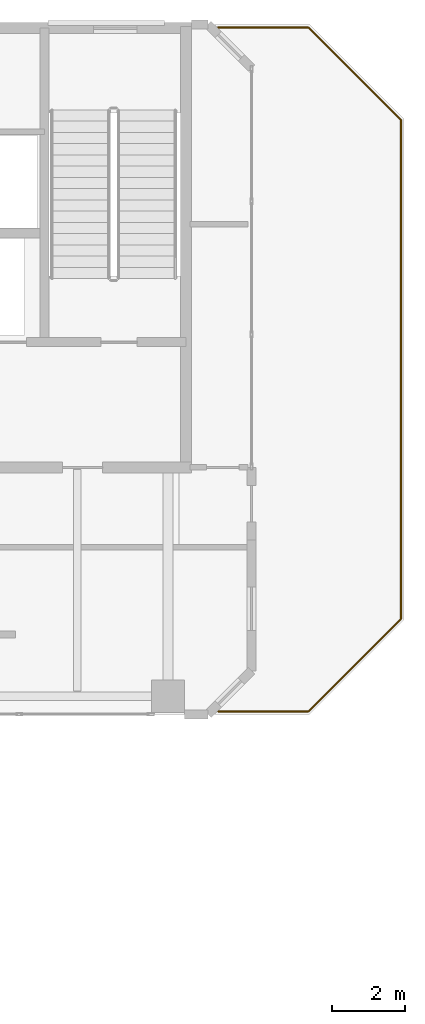
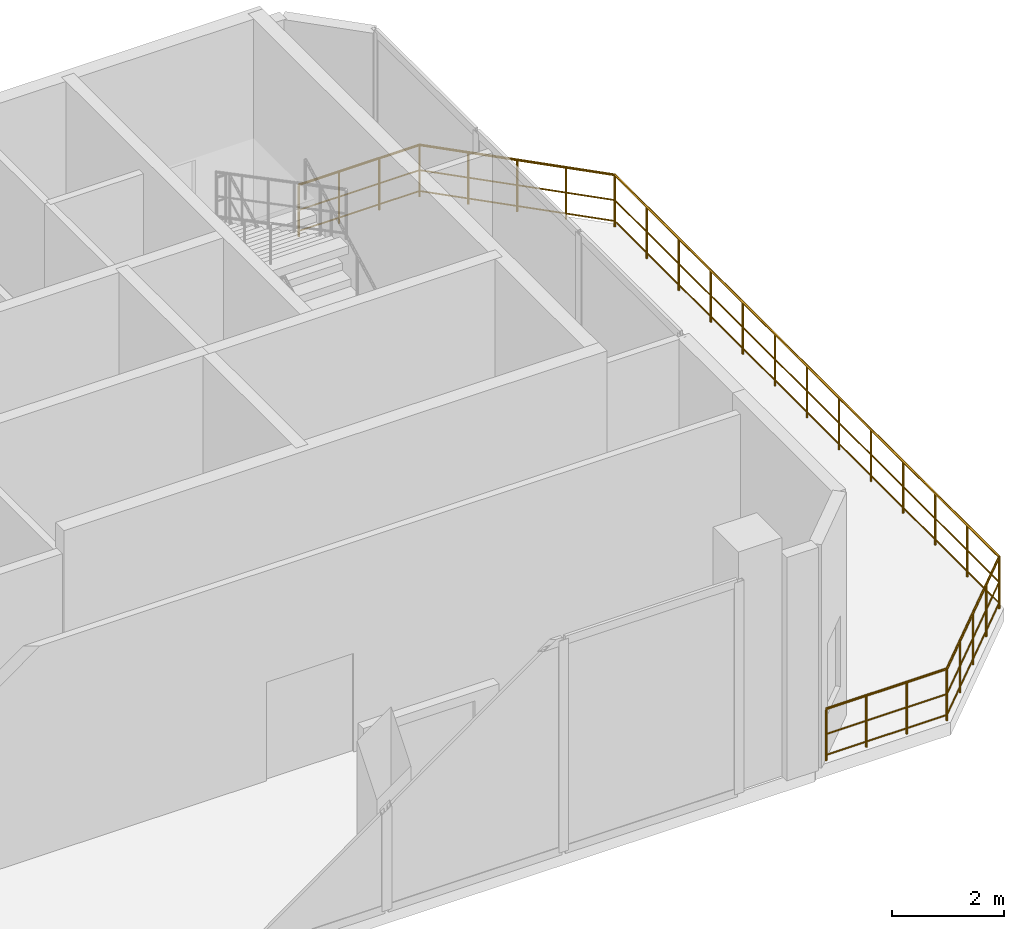
# One storey, part 11 of 11: 2 railings.
"""IFC4 building model written with IfcOpenShell, lengths in metres."""

from ifc_helpers import new_model, si_unit, direction, frame, origin, origin_2d, place, context, subcontext, project, spatial, circle, extrude, material, type_object, element, save


model = new_model("IFC4")

# Units and contexts
model_context = context("Model", 3, precision=1e-05, world=origin(), true_north=direction((0.0, 1.0)))
body_context = subcontext(model_context, "Body", "Model", "MODEL_VIEW")
ifc_project = project(units=[si_unit("LENGTHUNIT", "METRE"), si_unit("AREAUNIT", "SQUARE_METRE"), si_unit("VOLUMEUNIT", "CUBIC_METRE"), si_unit("PLANEANGLEUNIT", "RADIAN"), si_unit("MASSUNIT", "GRAM", prefix="KILO")], contexts=[model_context])

# Site, building, storey
site_placement = place(None, origin())
site = spatial("IfcSite", under=ifc_project, at=site_placement, CompositionType="ELEMENT")
building_placement = place(site_placement, origin())
building = spatial("IfcBuilding", under=site, at=building_placement, Name="Catumbela Crestline Tower", CompositionType="ELEMENT")
storey_placement = place(building_placement, frame((0.0, 0.0, 290.6)))
storey = spatial("IfcBuildingStorey", under=building, at=storey_placement, Name="L75", CompositionType="ELEMENT", Elevation=290.6)

# Railings
ifc_material = material(Name="Stainless steel EN 1.4401", Category="steel")
railing_type = type_object("IfcRailingType", Name="RT-1150", PredefinedType="BALUSTRADE", material=ifc_material)
railing_1_placement = place(storey_placement, frame((45.92, 40.3669, 0.0)))
element("IfcRailing", 1, at=railing_1_placement, inside=storey, type_object=railing_type, Name="L75 Stepped Terrace Balustrade 2-1", PredefinedType="BALUSTRADE", context=body_context, shape_type="SweptSolid", body=[
    extrude(circle(Radius=0.024, at=origin_2d()), frame((0.0, 0.0, 1.126), z_axis=(0.0, -1.0, 0.0), x_axis=(1.0, 0.0, 0.0)), (0.0, 0.0, 1.0), 13.7338),
    extrude(circle(Radius=0.0156, at=origin_2d()), frame((0.0, 0.0, 0.575), z_axis=(0.0, -1.0, 0.0), x_axis=(1.0, 0.0, 0.0)), (0.0, 0.0, 1.0), 13.7338),
    extrude(circle(Radius=0.0156, at=origin_2d()), frame((0.0, 0.0, 0.12), z_axis=(0.0, -1.0, 0.0), x_axis=(1.0, 0.0, 0.0)), (0.0, 0.0, 1.0), 13.7338),
    extrude(circle(Radius=0.024, at=origin_2d()), frame((0.0, -13.7338, 1.126), z_axis=(-0.707106781187, -0.707106781187, 0.0), x_axis=(0.707106781187, -0.707106781187, 0.0)), (0.0, 0.0, 1.0), 3.6106),
    extrude(circle(Radius=0.0156, at=origin_2d()), frame((0.0, -13.7338, 0.575), z_axis=(-0.707106781187, -0.707106781187, 0.0), x_axis=(0.707106781187, -0.707106781187, 0.0)), (0.0, 0.0, 1.0), 3.6106),
    extrude(circle(Radius=0.0156, at=origin_2d()), frame((0.0, -13.7338, 0.12), z_axis=(-0.707106781187, -0.707106781187, 0.0), x_axis=(0.707106781187, -0.707106781187, 0.0)), (0.0, 0.0, 1.0), 3.6106),
    extrude(circle(Radius=0.024, at=origin_2d()), frame((-2.5531, -16.2869, 1.126), z_axis=(-1.0, 0.0, 0.0), x_axis=(0.0, -1.0, 0.0)), (0.0, 0.0, 1.0), 2.4889),
    extrude(circle(Radius=0.0156, at=origin_2d()), frame((-2.5531, -16.2869, 0.575), z_axis=(-1.0, 0.0, 0.0), x_axis=(0.0, -1.0, 0.0)), (0.0, 0.0, 1.0), 2.4889),
    extrude(circle(Radius=0.0156, at=origin_2d()), frame((-2.5531, -16.2869, 0.12), z_axis=(-1.0, 0.0, 0.0), x_axis=(0.0, -1.0, 0.0)), (0.0, 0.0, 1.0), 2.4889),
    extrude(circle(Radius=0.021, at=origin_2d()), origin(), (0.0, 0.0, 1.0), 1.102),
    extrude(circle(Radius=0.021, at=origin_2d()), frame((0.0, -1.1445, 0.0)), (0.0, 0.0, 1.0), 1.102),
    extrude(circle(Radius=0.021, at=origin_2d()), frame((0.0, -2.289, 0.0)), (0.0, 0.0, 1.0), 1.102),
    extrude(circle(Radius=0.021, at=origin_2d()), frame((0.0, -3.4335, 0.0)), (0.0, 0.0, 1.0), 1.102),
    extrude(circle(Radius=0.021, at=origin_2d()), frame((0.0, -4.5779, 0.0)), (0.0, 0.0, 1.0), 1.102),
    extrude(circle(Radius=0.021, at=origin_2d()), frame((0.0, -5.7224, 0.0)), (0.0, 0.0, 1.0), 1.102),
    extrude(circle(Radius=0.021, at=origin_2d()), frame((0.0, -6.8669, 0.0)), (0.0, 0.0, 1.0), 1.102),
    extrude(circle(Radius=0.021, at=origin_2d()), frame((0.0, -8.0114, 0.0)), (0.0, 0.0, 1.0), 1.102),
    extrude(circle(Radius=0.021, at=origin_2d()), frame((0.0, -9.1559, 0.0)), (0.0, 0.0, 1.0), 1.102),
    extrude(circle(Radius=0.021, at=origin_2d()), frame((0.0, -10.3004, 0.0)), (0.0, 0.0, 1.0), 1.102),
    extrude(circle(Radius=0.021, at=origin_2d()), frame((0.0, -11.4448, 0.0)), (0.0, 0.0, 1.0), 1.102),
    extrude(circle(Radius=0.021, at=origin_2d()), frame((0.0, -12.5893, 0.0)), (0.0, 0.0, 1.0), 1.102),
    extrude(circle(Radius=0.021, at=origin_2d()), frame((0.0, -13.7338, 0.0)), (0.0, 0.0, 1.0), 1.102),
    extrude(circle(Radius=0.021, at=origin_2d()), frame((-0.6383, -14.3721, 0.0)), (0.0, 0.0, 1.0), 1.102),
    extrude(circle(Radius=0.021, at=origin_2d()), frame((-1.2766, -15.0104, 0.0)), (0.0, 0.0, 1.0), 1.102),
    extrude(circle(Radius=0.021, at=origin_2d()), frame((-1.9148, -15.6486, 0.0)), (0.0, 0.0, 1.0), 1.102),
    extrude(circle(Radius=0.021, at=origin_2d()), frame((-2.5531, -16.2869, 0.0)), (0.0, 0.0, 1.0), 1.102),
    extrude(circle(Radius=0.021, at=origin_2d()), frame((-3.3827, -16.2869, 0.0)), (0.0, 0.0, 1.0), 1.102),
    extrude(circle(Radius=0.021, at=origin_2d()), frame((-4.2124, -16.2869, 0.0)), (0.0, 0.0, 1.0), 1.102),
    extrude(circle(Radius=0.021, at=origin_2d()), frame((-5.042, -16.2869, 0.0)), (0.0, 0.0, 1.0), 1.102),
])
railing_2_placement = place(storey_placement, frame((40.878, 42.92, 0.0)))
element("IfcRailing", 2, at=railing_2_placement, inside=storey, type_object=railing_type, Name="L75 Stepped Terrace Balustrade 2-2", PredefinedType="BALUSTRADE", context=body_context, shape_type="SweptSolid", body=[
    extrude(circle(Radius=0.024, at=origin_2d()), frame((0.0, 0.0, 1.126), z_axis=(1.0, 0.0, 0.0), x_axis=(0.0, 1.0, 0.0)), (0.0, 0.0, 1.0), 2.4889),
    extrude(circle(Radius=0.0156, at=origin_2d()), frame((0.0, 0.0, 0.575), z_axis=(1.0, 0.0, 0.0), x_axis=(0.0, 1.0, 0.0)), (0.0, 0.0, 1.0), 2.4889),
    extrude(circle(Radius=0.0156, at=origin_2d()), frame((0.0, 0.0, 0.12), z_axis=(1.0, 0.0, 0.0), x_axis=(0.0, 1.0, 0.0)), (0.0, 0.0, 1.0), 2.4889),
    extrude(circle(Radius=0.024, at=origin_2d()), frame((2.4889, 0.0, 1.126), z_axis=(0.707106781187, -0.707106781187, 0.0), x_axis=(0.707106781187, 0.707106781187, 0.0)), (0.0, 0.0, 1.0), 3.6106),
    extrude(circle(Radius=0.0156, at=origin_2d()), frame((2.4889, 0.0, 0.575), z_axis=(0.707106781187, -0.707106781187, 0.0), x_axis=(0.707106781187, 0.707106781187, 0.0)), (0.0, 0.0, 1.0), 3.6106),
    extrude(circle(Radius=0.0156, at=origin_2d()), frame((2.4889, 0.0, 0.12), z_axis=(0.707106781187, -0.707106781187, 0.0), x_axis=(0.707106781187, 0.707106781187, 0.0)), (0.0, 0.0, 1.0), 3.6106),
    extrude(circle(Radius=0.021, at=origin_2d()), origin(), (0.0, 0.0, 1.0), 1.102),
    extrude(circle(Radius=0.021, at=origin_2d()), frame((0.8296, 0.0, 0.0)), (0.0, 0.0, 1.0), 1.102),
    extrude(circle(Radius=0.021, at=origin_2d()), frame((1.6593, 0.0, 0.0)), (0.0, 0.0, 1.0), 1.102),
    extrude(circle(Radius=0.021, at=origin_2d()), frame((2.4889, 0.0, 0.0)), (0.0, 0.0, 1.0), 1.102),
    extrude(circle(Radius=0.021, at=origin_2d()), frame((3.1272, -0.6383, 0.0)), (0.0, 0.0, 1.0), 1.102),
    extrude(circle(Radius=0.021, at=origin_2d()), frame((3.7655, -1.2766, 0.0)), (0.0, 0.0, 1.0), 1.102),
    extrude(circle(Radius=0.021, at=origin_2d()), frame((4.4037, -1.9148, 0.0)), (0.0, 0.0, 1.0), 1.102),
    extrude(circle(Radius=0.021, at=origin_2d()), frame((5.042, -2.5531, 0.0)), (0.0, 0.0, 1.0), 1.102),
])

save(model, "model.ifc")
